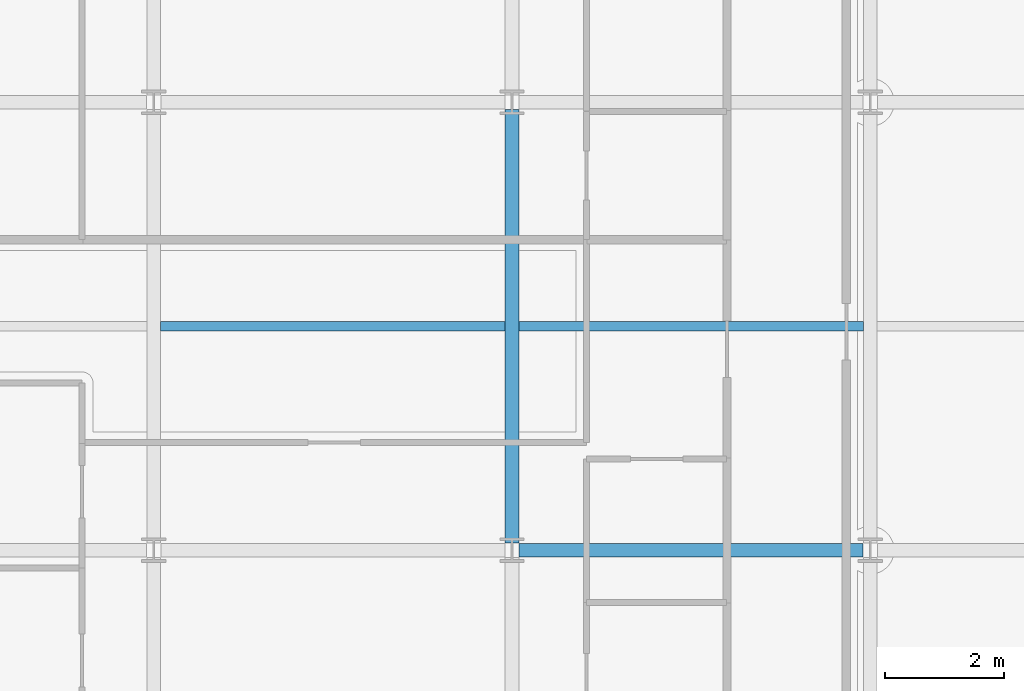
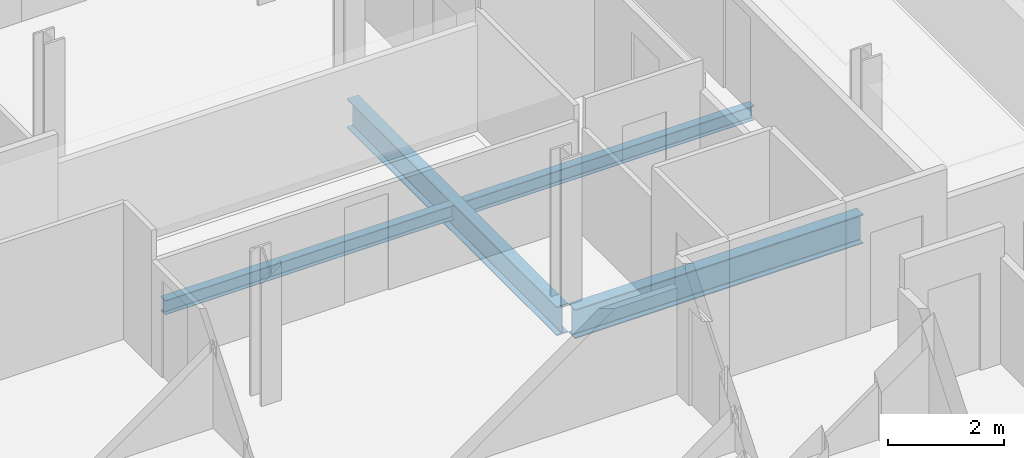
# One storey, part 8 of 41: 4 beams.
"""IFC4 building model written with IfcOpenShell, lengths in metres."""

from ifc_helpers import new_model, si_unit, direction, frame, origin, origin_2d, place, context, subcontext, project, spatial, i_section, extrude, material, material_profile, profile_set, type_object, element, save


model = new_model("IFC4")

# Units and contexts
model_context = context("Model", 3, precision=1e-05, world=origin(), true_north=direction((0.0, 1.0)))
body_context = subcontext(model_context, "Body", "Model", "MODEL_VIEW")
ifc_project = project(units=[si_unit("LENGTHUNIT", "METRE"), si_unit("AREAUNIT", "SQUARE_METRE"), si_unit("VOLUMEUNIT", "CUBIC_METRE"), si_unit("PLANEANGLEUNIT", "RADIAN"), si_unit("MASSUNIT", "GRAM", prefix="KILO")], contexts=[model_context])

# Site, building, storey
site_placement = place(None, origin())
site = spatial("IfcSite", under=ifc_project, at=site_placement, CompositionType="ELEMENT")
building_placement = place(site_placement, origin())
building = spatial("IfcBuilding", under=site, at=building_placement, Name="Brevholm Reach", CompositionType="ELEMENT")
storey_placement = place(building_placement, frame((0.0, 0.0, 157.300048828125)))
storey = spatial("IfcBuildingStorey", under=building, at=storey_placement, Name="L47", CompositionType="ELEMENT", Elevation=157.300048828125)

# Beams
ifc_material_1 = material(Name="Structural Steel S355J2", Category="steel")
ifc_material_profile_1 = material_profile(ifc_material_1, i_section(OverallWidth=0.1650390625, OverallDepth=0.303466796875, WebThickness=0.006103515625, FlangeThickness=0.01025390625, FilletRadius=0.0087890625, at=origin_2d()), Name="UKB 305x165x40")
ifc_profile_set_1 = profile_set([ifc_material_profile_1], Name="Structural Steel S355J2")
beam_type_1 = type_object("IfcBeamType", Name="BM-B305", PredefinedType="BEAM", material=ifc_profile_set_1)
for number, where, z_axis, x_axis, name in (
    (1, (6.114501953125, 19.75, -0.371826171875), (1.0, 0.0, 0.0), (0.0, 1.0, 0.0), "L47 Composite Secondary Floor Beam"),
    (2, (12.114501953125, 19.75, -0.371826171875), (1.0, 0.0, 0.0), (0.0, 1.0, 0.0), "L47 Composite Secondary Floor Beam"),
):
    element("IfcBeam", number, at=place(storey_placement, frame(where, z_axis=z_axis, x_axis=x_axis)), inside=storey, type_object=beam_type_1, Name=name, PredefinedType="BEAM", context=body_context, shape_type="SweptSolid", body=[
        extrude(i_section(OverallWidth=0.1650390625, OverallDepth=0.303466796875, WebThickness=0.006103515625, FlangeThickness=0.01025390625, FilletRadius=0.0087890625, at=origin_2d()), origin(), (0.0, 0.0, 1.0), 5.77099609375),
    ])
ifc_material_2 = material(Name="Structural Steel S355J2", Category="steel")
ifc_material_profile_2 = material_profile(ifc_material_2, i_section(OverallWidth=0.22900390625, OverallDepth=0.6123046875, WebThickness=0.011962890625, FlangeThickness=0.01953125, FilletRadius=0.0126953125, at=origin_2d()), Name="UKB 610x229x125")
ifc_profile_set_2 = profile_set([ifc_material_profile_2], Name="Structural Steel S355J2")
beam_type_2 = type_object("IfcBeamType", Name="BM-SP610", PredefinedType="SPANDREL", material=ifc_profile_set_2)
beam_1_placement = place(storey_placement, frame((12.1201171875, 16.0, -0.526123046875), z_axis=(1.0, 0.0, 0.0), x_axis=(0.0, 1.0, 0.0)))
element("IfcBeam", 3, at=beam_1_placement, inside=storey, type_object=beam_type_2, Name="L47 SP-01 Framing Beam", PredefinedType="SPANDREL", context=body_context, shape_type="SweptSolid", body=[
    extrude(i_section(OverallWidth=0.22900390625, OverallDepth=0.6123046875, WebThickness=0.011962890625, FlangeThickness=0.01953125, FilletRadius=0.0126953125, at=origin_2d()), origin(), (0.0, 0.0, 1.0), 5.759765625),
])
beam_2_placement = place(storey_placement, frame((12.0, 16.1201171875, -0.526123046875), z_axis=(0.0, 1.0, 0.0), x_axis=(-1.0, 0.0, 0.0)))
element("IfcBeam", 4, at=beam_2_placement, inside=storey, type_object=beam_type_2, Name="L47 SP-01 Framing Beam", PredefinedType="SPANDREL", context=body_context, shape_type="SweptSolid", body=[
    extrude(i_section(OverallWidth=0.22900390625, OverallDepth=0.6123046875, WebThickness=0.011962890625, FlangeThickness=0.01953125, FilletRadius=0.0126953125, at=origin_2d()), origin(), (0.0, 0.0, 1.0), 7.259765625),
])

save(model, "model.ifc")
